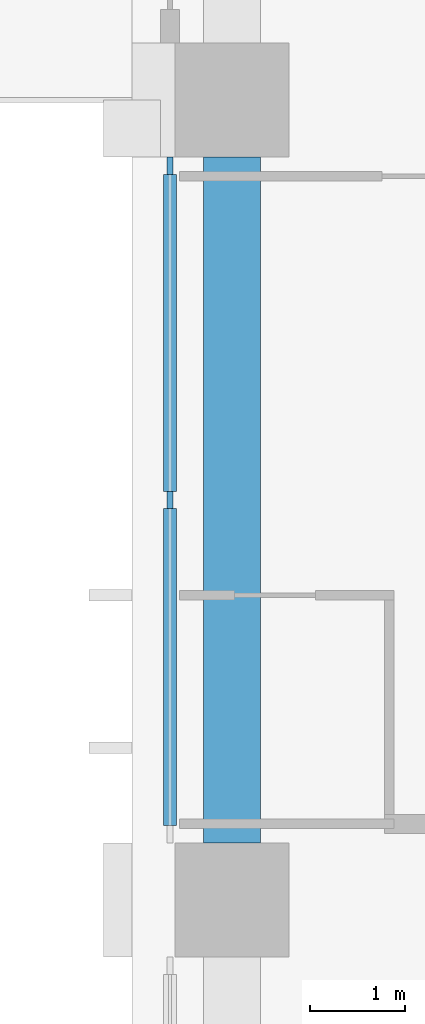
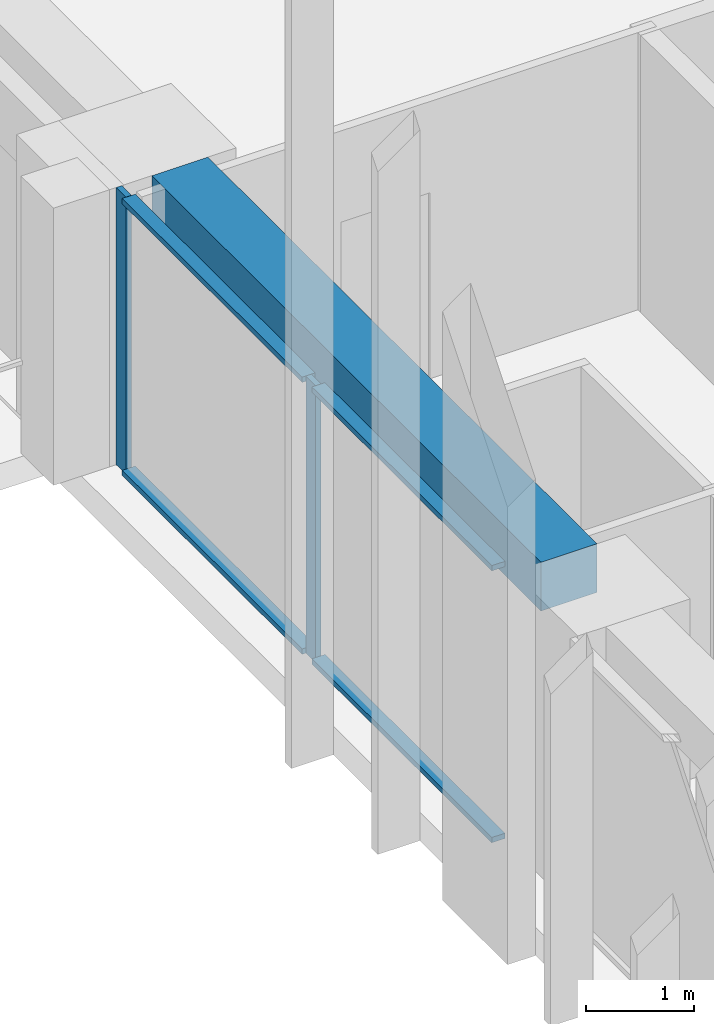
# One storey, part 3 of 18: 6 members, 1 beam, 1 element without a shape of its own.
"""IFC4 building model written with IfcOpenShell, lengths in metres."""

from ifc_helpers import new_model, si_unit, direction, frame, origin, origin_2d, place, context, subcontext, project, spatial, rectangle, extrude, material, material_profile, profile_set, type_object, element, aggregate, save


model = new_model("IFC4")

# Units and contexts
model_context = context("Model", 3, precision=1e-05, world=origin(), true_north=direction((0.0, 1.0)))
body_context = subcontext(model_context, "Body", "Model", "MODEL_VIEW")
ifc_project = project(units=[si_unit("LENGTHUNIT", "METRE"), si_unit("AREAUNIT", "SQUARE_METRE"), si_unit("VOLUMEUNIT", "CUBIC_METRE"), si_unit("PLANEANGLEUNIT", "RADIAN"), si_unit("MASSUNIT", "GRAM", prefix="KILO")], contexts=[model_context])

# Site, building, storey
site_placement = place(None, origin())
site = spatial("IfcSite", under=ifc_project, at=site_placement, CompositionType="ELEMENT")
building_placement = place(site_placement, origin())
building = spatial("IfcBuilding", under=site, at=building_placement, Name="Vermilion Ogive Tower", CompositionType="ELEMENT")
storey_placement = place(building_placement, frame((0.0, 0.0, 80.39990234375)))
storey = spatial("IfcBuildingStorey", under=building, at=storey_placement, Name="L19", CompositionType="ELEMENT", Elevation=80.39990234375)

# Curtain wall, members
ifc_material_1 = material(Name="Low-iron laminated glazing in aluminium frame", Category="aluminium")
curtain_wall_type = type_object("IfcCurtainWallType", Name="Curtain wall CW7", PredefinedType="NOTDEFINED", material=ifc_material_1)
curtain_wall_placement = place(storey_placement, origin())
curtain_wall = element("IfcCurtainWall", 1, at=curtain_wall_placement, inside=storey, type_object=curtain_wall_type, Name="Glazed skin W2", PredefinedType="NOTDEFINED")
ifc_material_2 = material(Name="Aluminium mullion", Category="aluminium")
ifc_material_profile_1 = material_profile(ifc_material_2, rectangle(XDim=0.06005859375, YDim=0.179931640625, at=origin_2d()), Name="AL 60x180")
ifc_profile_set_1 = profile_set([ifc_material_profile_1], Name="Aluminium mullion")
member_type_1 = type_object("IfcMemberType", Name="CW7 mullion 60x180", PredefinedType="MULLION", material=ifc_profile_set_1)
member_1_placement = place(storey_placement, frame((-25.85009765625, 3.510009765625, 0.0), z_axis=(0.0, 0.0, 1.0), x_axis=(1.0, 0.0, 0.0)))
member_1 = element("IfcMember", 2, at=member_1_placement, type_object=member_type_1, Name="CW7-W2 mullion 1", PredefinedType="MULLION", context=body_context, shape_type="SweptSolid", body=[
    extrude(rectangle(XDim=0.06005859375, YDim=0.179931640625, at=origin_2d()), origin(), (0.0, 0.0, 1.0), 3.130126953125),
])
member_2_placement = place(storey_placement, frame((-25.85009765625, 0.0, 0.0), z_axis=(0.0, 0.0, 1.0), x_axis=(1.0, 0.0, 0.0)))
member_2 = element("IfcMember", 3, at=member_2_placement, type_object=member_type_1, Name="CW7-W2 mullion 2", PredefinedType="MULLION", context=body_context, shape_type="SweptSolid", body=[
    extrude(rectangle(XDim=0.06005859375, YDim=0.179931640625, at=origin_2d()), origin(), (0.0, 0.0, 1.0), 3.130126953125),
])
ifc_material_3 = material(Name="Aluminium transom", Category="aluminium")
ifc_material_profile_2 = material_profile(ifc_material_3, rectangle(XDim=0.139892578125, YDim=0.06005859375, at=origin_2d()), Name="AL 60x140")
ifc_profile_set_2 = profile_set([ifc_material_profile_2], Name="Aluminium transom")
member_type_2 = type_object("IfcMemberType", Name="CW7 transom 60x140", PredefinedType="USERDEFINED", material=ifc_profile_set_2)
member_3_placement = place(storey_placement, frame((-25.85009765625, 3.419921875, 0.030029296875), z_axis=(0.0, -1.0, 0.0), x_axis=(1.0, 0.0, 0.0)))
member_3 = element("IfcMember", 4, at=member_3_placement, type_object=member_type_2, Name="CW7-W2 transom 1.1", ObjectType="TRANSOM", PredefinedType="USERDEFINED", context=body_context, shape_type="SweptSolid", body=[
    extrude(rectangle(XDim=0.139892578125, YDim=0.06005859375, at=origin_2d()), origin(), (0.0, 0.0, 1.0), 3.329833984375),
])
member_4_placement = place(storey_placement, frame((-25.85009765625, 3.419921875, 3.10009765625), z_axis=(0.0, -1.0, 0.0), x_axis=(1.0, 0.0, 0.0)))
member_4 = element("IfcMember", 5, at=member_4_placement, type_object=member_type_2, Name="CW7-W2 transom 1.2", ObjectType="TRANSOM", PredefinedType="USERDEFINED", context=body_context, shape_type="SweptSolid", body=[
    extrude(rectangle(XDim=0.139892578125, YDim=0.06005859375, at=origin_2d()), origin(), (0.0, 0.0, 1.0), 3.329833984375),
])
member_5_placement = place(storey_placement, frame((-25.85009765625, -0.090087890625, 0.030029296875), z_axis=(0.0, -1.0, 0.0), x_axis=(1.0, 0.0, 0.0)))
member_5 = element("IfcMember", 6, at=member_5_placement, type_object=member_type_2, Name="CW7-W2 transom 2.1", ObjectType="TRANSOM", PredefinedType="USERDEFINED", context=body_context, shape_type="SweptSolid", body=[
    extrude(rectangle(XDim=0.139892578125, YDim=0.06005859375, at=origin_2d()), origin(), (0.0, 0.0, 1.0), 3.329833984375),
])
member_6_placement = place(storey_placement, frame((-25.85009765625, -0.090087890625, 3.10009765625), z_axis=(0.0, -1.0, 0.0), x_axis=(1.0, 0.0, 0.0)))
member_6 = element("IfcMember", 7, at=member_6_placement, type_object=member_type_2, Name="CW7-W2 transom 2.2", ObjectType="TRANSOM", PredefinedType="USERDEFINED", context=body_context, shape_type="SweptSolid", body=[
    extrude(rectangle(XDim=0.139892578125, YDim=0.06005859375, at=origin_2d()), origin(), (0.0, 0.0, 1.0), 3.329833984375),
])
aggregate(curtain_wall, [member_1, member_2, member_3, member_4, member_5, member_6])

# Beam
ifc_material_4 = material(Name="Concrete B45", Category="concrete")
ifc_material_profile_3 = material_profile(ifc_material_4, rectangle(XDim=0.60009765625, YDim=0.550048828125, at=origin_2d()), Name="600 x 550")
ifc_profile_set_3 = profile_set([ifc_material_profile_3], Name="Concrete B45")
beam_type = type_object("IfcBeamType", Name="Edge beam 600 x 550 B45", PredefinedType="BEAM", material=ifc_profile_set_3)
beam_placement = place(storey_placement, frame((-25.199951171875, 3.60009765625, 2.85498046875), z_axis=(0.0, -1.0, 0.0), x_axis=(1.0, 0.0, 0.0)))
element("IfcBeam", 8, at=beam_placement, inside=storey, type_object=beam_type, Name="L19-EB-15", PredefinedType="BEAM", context=body_context, shape_type="SweptSolid", body=[
    extrude(rectangle(XDim=0.60009765625, YDim=0.550048828125, at=origin_2d()), origin(), (0.0, 0.0, 1.0), 7.2001953125),
])

save(model, "model.ifc")
